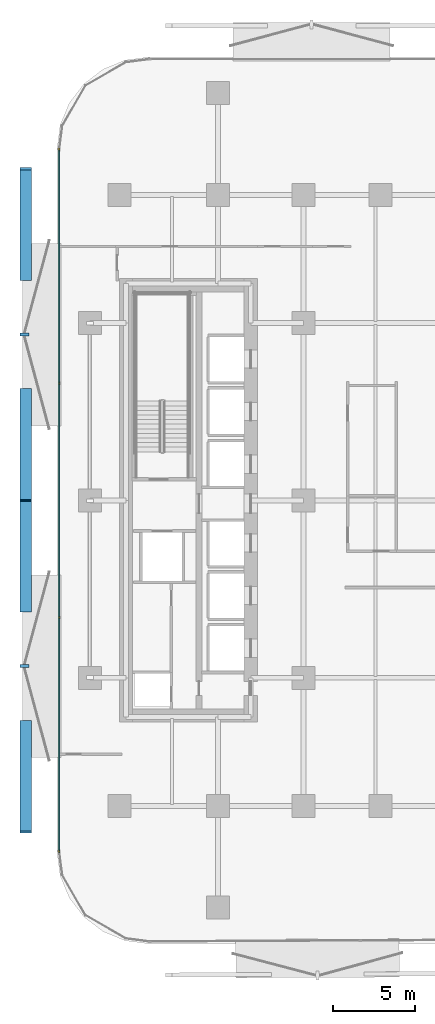
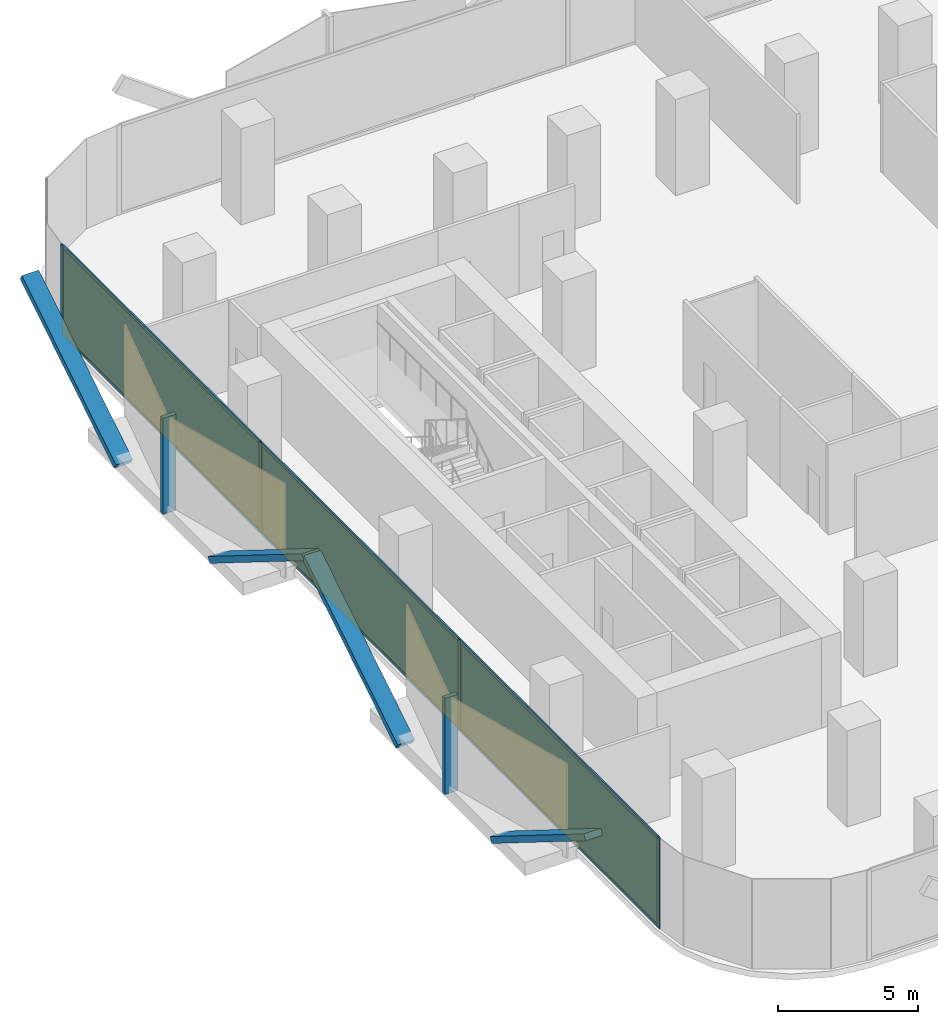
# One storey, part 8 of 15: 16 members, 3 plates, 1 curtain wall.
"""IFC4 building model written with IfcOpenShell, lengths in metres."""

from ifc_helpers import new_model, si_unit, direction, frame, frame_2d, origin, origin_2d, place, context, subcontext, project, spatial, rectangle, extrude, material, layer, layer_set, material_profile, profile_set, type_object, element, aggregate, save


model = new_model("IFC4")

# Units and contexts
model_context = context("Model", 3, precision=1e-05, world=origin(), true_north=direction((0.0, 1.0)))
body_context = subcontext(model_context, "Body", "Model", "MODEL_VIEW")
ifc_project = project(units=[si_unit("LENGTHUNIT", "METRE"), si_unit("AREAUNIT", "SQUARE_METRE"), si_unit("VOLUMEUNIT", "CUBIC_METRE"), si_unit("PLANEANGLEUNIT", "RADIAN"), si_unit("MASSUNIT", "GRAM", prefix="KILO")], contexts=[model_context])

# Member
ifc_material_1 = material(Name="Anodised Bronze Aluminium 6063-T6", Category="aluminium")
ifc_material_profile_1 = material_profile(ifc_material_1, rectangle(XDim=0.260009765625, YDim=0.699951171875, at=origin_2d()))
ifc_profile_set_1 = profile_set([ifc_material_profile_1], Name="Anodised Bronze Aluminium 6063-T6")
member_type_1 = type_object("IfcMemberType", Name="Bronze Diamond Solar-Screen Lattice Rib BDL-700", PredefinedType="MULLION", material=ifc_profile_set_1)
site_placement = place(None, origin())
building_placement = place(site_placement, origin())
storey_placement = place(building_placement, frame((0.0, 0.0, 34.39990234375)))
member_1_placement = place(storey_placement, frame((-26.10009765625, -6.730224609375, -0.1298828125), z_axis=(0.0, 0.848362902952, 0.529415134744), x_axis=(0.0, -0.529415134744, 0.848362902952)))
member_1 = element("IfcMember", 1, at=member_1_placement, type_object=member_type_1, Name="L08 Bronze Diamond Solar Screen Lattice Rib 19A", PredefinedType="MULLION", context=body_context, shape_type="SweptSolid", body=[
    extrude(rectangle(XDim=0.260009765625, YDim=0.699951171875, at=origin_2d()), origin(), (0.0, 0.0, 1.0), 7.93310546875),
])

member_2_placement = place(storey_placement, frame((-26.10009765625, -13.46044921875, -0.1298828125), z_axis=(0.0, -0.848371528126, 0.529401313057), x_axis=(0.0, 0.529401313057, 0.848371528126)))
member_2 = element("IfcMember", 2, at=member_2_placement, type_object=member_type_1, Name="L08 Bronze Diamond Solar Screen Lattice Rib 19B", PredefinedType="MULLION", context=body_context, shape_type="SweptSolid", body=[
    extrude(rectangle(XDim=0.260009765625, YDim=0.699951171875, at=origin_2d()), origin(), (0.0, 0.0, 1.0), 7.933349609375),
])

member_3_placement = place(storey_placement, frame((-26.10009765625, 13.46044921875, -0.1298828125), z_axis=(0.0, 0.848371528126, 0.529401313057), x_axis=(0.0, -0.529401313057, 0.848371528126)))
member_3 = element("IfcMember", 3, at=member_3_placement, type_object=member_type_1, Name="L08 Bronze Diamond Solar Screen Lattice Rib 20A", PredefinedType="MULLION", context=body_context, shape_type="SweptSolid", body=[
    extrude(rectangle(XDim=0.260009765625, YDim=0.699951171875, at=origin_2d()), origin(), (0.0, 0.0, 1.0), 7.933349609375),
])

member_4_placement = place(storey_placement, frame((-26.10009765625, 6.730224609375, -0.1298828125), z_axis=(0.0, -0.848362902952, 0.529415134744), x_axis=(0.0, 0.529415134744, 0.848362902952)))
member_4 = element("IfcMember", 4, at=member_4_placement, type_object=member_type_1, Name="L08 Bronze Diamond Solar Screen Lattice Rib 20B", PredefinedType="MULLION", context=body_context, shape_type="SweptSolid", body=[
    extrude(rectangle(XDim=0.260009765625, YDim=0.699951171875, at=origin_2d()), origin(), (0.0, 0.0, 1.0), 7.93310546875),
])

ifc_material_2 = material(Name="Anodised Bronze Aluminium 6063-T6", Category="aluminium")
ifc_material_profile_2 = material_profile(ifc_material_2, rectangle(XDim=0.179931640625, YDim=0.5400390625, at=origin_2d()))
ifc_profile_set_2 = profile_set([ifc_material_profile_2], Name="Anodised Bronze Aluminium 6063-T6")
member_type_2 = type_object("IfcMemberType", Name="Bronze Solar-Screen Vertical Fold Fin BSF-540", PredefinedType="MULLION", material=ifc_profile_set_2)
member_5_placement = place(storey_placement, frame((-26.179931640625, -10.095458984375, -0.1298828125), z_axis=(0.0, 0.0, 1.0), x_axis=(0.0, 1.0, 0.0)))
member_5 = element("IfcMember", 5, at=member_5_placement, type_object=member_type_2, Name="L08 Bronze Solar Screen Vertical Fin 19", PredefinedType="MULLION", context=body_context, shape_type="SweptSolid", body=[
    extrude(rectangle(XDim=0.179931640625, YDim=0.5400390625, at=origin_2d()), origin(), (0.0, 0.0, 1.0), 4.199951171875),
])

member_6_placement = place(storey_placement, frame((-26.179931640625, 10.095458984375, -0.1298828125), z_axis=(0.0, 0.0, 1.0), x_axis=(0.0, 1.0, 0.0)))
member_6 = element("IfcMember", 6, at=member_6_placement, type_object=member_type_2, Name="L08 Bronze Solar Screen Vertical Fin 20", PredefinedType="MULLION", context=body_context, shape_type="SweptSolid", body=[
    extrude(rectangle(XDim=0.179931640625, YDim=0.5400390625, at=origin_2d()), origin(), (0.0, 0.0, 1.0), 4.199951171875),
])

ifc_material_3 = material(Name="Anodised Bronze Aluminium 6063-T6", Category="aluminium")
ifc_material_profile_3 = material_profile(ifc_material_3, rectangle(XDim=0.06494140625, YDim=0.179931640625, at=origin_2d()))
ifc_profile_set_3 = profile_set([ifc_material_profile_3], Name="Anodised Bronze Aluminium 6063-T6")
member_type_3 = type_object("IfcMemberType", Name="CW-Z1 Mullion 65x180", PredefinedType="MULLION", material=ifc_profile_set_3)
member_7_placement = place(storey_placement, frame((-24.06005859375, -21.3583984375, 0.0), z_axis=(0.0, 0.0, 1.0), x_axis=(-1.0, 0.0, 0.0)))
member_7 = element("IfcMember", 7, at=member_7_placement, type_object=member_type_3, Name="CW-Z1 mullion 1", PredefinedType="MULLION", context=body_context, shape_type="SweptSolid", body=[
    extrude(rectangle(XDim=0.06494140625, YDim=0.179931640625, at=origin_2d()), origin(), (0.0, 0.0, 1.0), 3.940185546875),
])

member_8_placement = place(storey_placement, frame((-24.06005859375, -7.13037109375, 0.0), z_axis=(0.0, 0.0, 1.0), x_axis=(-1.0, 0.0, 0.0)))
member_8 = element("IfcMember", 8, at=member_8_placement, type_object=member_type_3, Name="CW-Z1 mullion 2", PredefinedType="MULLION", context=body_context, shape_type="SweptSolid", body=[
    extrude(rectangle(XDim=0.06494140625, YDim=0.179931640625, at=origin_2d()), origin(), (0.0, 0.0, 1.0), 3.940185546875),
])

member_9_placement = place(storey_placement, frame((-24.06005859375, 7.13037109375, 0.0), z_axis=(0.0, 0.0, 1.0), x_axis=(-1.0, 0.0, 0.0)))
member_9 = element("IfcMember", 9, at=member_9_placement, type_object=member_type_3, Name="CW-Z1 mullion 3", PredefinedType="MULLION", context=body_context, shape_type="SweptSolid", body=[
    extrude(rectangle(XDim=0.06494140625, YDim=0.179931640625, at=origin_2d()), origin(), (0.0, 0.0, 1.0), 3.940185546875),
])

member_10_placement = place(storey_placement, frame((-24.06005859375, 21.3583984375, 0.0), z_axis=(0.0, 0.0, 1.0), x_axis=(-1.0, 0.0, 0.0)))
member_10 = element("IfcMember", 10, at=member_10_placement, type_object=member_type_3, Name="CW-Z1 mullion 4", PredefinedType="MULLION", context=body_context, shape_type="SweptSolid", body=[
    extrude(rectangle(XDim=0.06494140625, YDim=0.179931640625, at=origin_2d()), origin(), (0.0, 0.0, 1.0), 3.940185546875),
])

ifc_material_4 = material(Name="Anodised Bronze Aluminium 6063-T6", Category="aluminium")
ifc_material_profile_4 = material_profile(ifc_material_4, rectangle(XDim=0.06494140625, YDim=0.139892578125, at=origin_2d()))
ifc_profile_set_4 = profile_set([ifc_material_profile_4], Name="Anodised Bronze Aluminium 6063-T6")
member_type_4 = type_object("IfcMemberType", Name="CW-Z1 Transom 65x140", PredefinedType="USERDEFINED", material=ifc_profile_set_4)
member_11_placement = place(storey_placement, frame((-24.06005859375, -21.32568359375, 0.03271484375), z_axis=(0.0, 1.0, 0.0), x_axis=(-1.0, 0.0, 0.0)))
member_11 = element("IfcMember", 11, at=member_11_placement, type_object=member_type_4, Name="CW-Z1 transom 1.1", ObjectType="TRANSOM", PredefinedType="USERDEFINED", context=body_context, shape_type="SweptSolid", body=[
    extrude(rectangle(XDim=0.06494140625, YDim=0.139892578125, at=origin_2d()), origin(), (0.0, 0.0, 1.0), 14.162841796875),
])

member_12_placement = place(storey_placement, frame((-24.06005859375, -21.32568359375, 3.90771484375), z_axis=(0.0, 1.0, 0.0), x_axis=(-1.0, 0.0, 0.0)))
member_12 = element("IfcMember", 12, at=member_12_placement, type_object=member_type_4, Name="CW-Z1 transom 1.2", ObjectType="TRANSOM", PredefinedType="USERDEFINED", context=body_context, shape_type="SweptSolid", body=[
    extrude(rectangle(XDim=0.06494140625, YDim=0.139892578125, at=origin_2d()), origin(), (0.0, 0.0, 1.0), 14.162841796875),
])

member_13_placement = place(storey_placement, frame((-24.06005859375, -7.09765625, 0.03271484375), z_axis=(0.0, 1.0, 0.0), x_axis=(-1.0, 0.0, 0.0)))
member_13 = element("IfcMember", 13, at=member_13_placement, type_object=member_type_4, Name="CW-Z1 transom 2.1", ObjectType="TRANSOM", PredefinedType="USERDEFINED", context=body_context, shape_type="SweptSolid", body=[
    extrude(rectangle(XDim=0.06494140625, YDim=0.139892578125, at=origin_2d()), origin(), (0.0, 0.0, 1.0), 14.1953125),
])

member_14_placement = place(storey_placement, frame((-24.06005859375, -7.09765625, 3.90771484375), z_axis=(0.0, 1.0, 0.0), x_axis=(-1.0, 0.0, 0.0)))
member_14 = element("IfcMember", 14, at=member_14_placement, type_object=member_type_4, Name="CW-Z1 transom 2.2", ObjectType="TRANSOM", PredefinedType="USERDEFINED", context=body_context, shape_type="SweptSolid", body=[
    extrude(rectangle(XDim=0.06494140625, YDim=0.139892578125, at=origin_2d()), origin(), (0.0, 0.0, 1.0), 14.1953125),
])

member_15_placement = place(storey_placement, frame((-24.06005859375, 7.162841796875, 0.03271484375), z_axis=(0.0, 1.0, 0.0), x_axis=(-1.0, 0.0, 0.0)))
member_15 = element("IfcMember", 15, at=member_15_placement, type_object=member_type_4, Name="CW-Z1 transom 3.1", ObjectType="TRANSOM", PredefinedType="USERDEFINED", context=body_context, shape_type="SweptSolid", body=[
    extrude(rectangle(XDim=0.06494140625, YDim=0.139892578125, at=origin_2d()), origin(), (0.0, 0.0, 1.0), 14.162841796875),
])

member_16_placement = place(storey_placement, frame((-24.06005859375, 7.162841796875, 3.90771484375), z_axis=(0.0, 1.0, 0.0), x_axis=(-1.0, 0.0, 0.0)))
member_16 = element("IfcMember", 16, at=member_16_placement, type_object=member_type_4, Name="CW-Z1 transom 3.2", ObjectType="TRANSOM", PredefinedType="USERDEFINED", context=body_context, shape_type="SweptSolid", body=[
    extrude(rectangle(XDim=0.06494140625, YDim=0.139892578125, at=origin_2d()), origin(), (0.0, 0.0, 1.0), 14.162841796875),
])

# Plate
ifc_material_5 = material(Name="Low-E Solar Control Laminated Glass", Category="glass")
ifc_layer_1 = layer(ifc_material_5, 0.028076171875, Name="Low-E Solar Control Laminated Glass")
ifc_layer_set_1 = layer_set([ifc_layer_1], Name="Low-E Solar Control Laminated Glass")
plate_type = type_object("IfcPlateType", Name="CW-Z1 Low-E Double Glazed Panel 28mm", PredefinedType="CURTAIN_PANEL", material=ifc_layer_set_1)
plate_1_placement = place(storey_placement, frame((-24.06005859375, -14.244384765625, 0.065185546875), z_axis=(0.0, 0.0, 1.0), x_axis=(0.0, 1.0, 0.0)))
plate_1 = element("IfcPlate", 17, at=plate_1_placement, type_object=plate_type, Name="CW-Z1 panel 1.1", PredefinedType="CURTAIN_PANEL", context=body_context, shape_type="SweptSolid", body=[
    extrude(rectangle(XDim=14.1630859375, YDim=0.028076171875, at=origin_2d()), origin(), (0.0, 0.0, 1.0), 3.81005859375),
])

plate_2_placement = place(storey_placement, frame((-24.06005859375, 0.0, 0.065185546875), z_axis=(0.0, 0.0, 1.0), x_axis=(0.0, 1.0, 0.0)))
plate_2 = element("IfcPlate", 18, at=plate_2_placement, type_object=plate_type, Name="CW-Z1 panel 2.1", PredefinedType="CURTAIN_PANEL", context=body_context, shape_type="SweptSolid", body=[
    extrude(rectangle(XDim=14.195556640625, YDim=0.028076171875, at=origin_2d()), origin(), (0.0, 0.0, 1.0), 3.81005859375),
])

plate_3_placement = place(storey_placement, frame((-24.06005859375, 14.244384765625, 0.065185546875), z_axis=(0.0, 0.0, 1.0), x_axis=(0.0, 1.0, 0.0)))
plate_3 = element("IfcPlate", 19, at=plate_3_placement, type_object=plate_type, Name="CW-Z1 panel 3.1", PredefinedType="CURTAIN_PANEL", context=body_context, shape_type="SweptSolid", body=[
    extrude(rectangle(XDim=14.1630859375, YDim=0.028076171875, at=origin_2d()), origin(), (0.0, 0.0, 1.0), 3.81005859375),
])

# Site, building, storey
site = spatial("IfcSite", under=ifc_project, at=site_placement, CompositionType="ELEMENT")
building = spatial("IfcBuilding", under=site, at=building_placement, Name="Khairoan Windgate Tower", CompositionType="ELEMENT")
storey = spatial("IfcBuildingStorey", under=building, at=storey_placement, Name="L08", CompositionType="ELEMENT", Elevation=34.39990234375)

# Curtain wall
ifc_material_6 = material(Name="Anodised Bronze Aluminium 6063-T6", Category="aluminium")
ifc_layer_2 = layer(ifc_material_6, 0.179931640625, Name="Anodised Bronze Aluminium 6063-T6")
ifc_layer_set_2 = layer_set([ifc_layer_2], Name="Anodised Bronze Aluminium 6063-T6")
curtain_wall_type = type_object("IfcCurtainWallType", Name="Low-Rise Office Unitised Curtain Wall CW-Z1", PredefinedType="NOTDEFINED", material=ifc_layer_set_2)
curtain_wall_placement = place(storey_placement, frame((-24.06005859375, -21.390869140625, 0.0), z_axis=(0.0, 0.0, 1.0), x_axis=(0.0, 1.0, 0.0)))
curtain_wall = element("IfcCurtainWall", 20, at=curtain_wall_placement, inside=storey, type_object=curtain_wall_type, Name="L08 Unitised Curtain Wall 6", PredefinedType="NOTDEFINED", context=body_context, shape_type="SweptSolid", body=[
    extrude(rectangle(XDim=42.78173828125, YDim=0.010009765625, at=frame_2d((21.390869140625, 0.0))), origin(), (0.0, 0.0, 1.0), 3.940185546875),
])

aggregate(curtain_wall, [member_7, member_8, member_9, member_10, member_11, member_12, plate_1, member_13, member_14, plate_2, member_15, member_16, plate_3, member_1, member_2, member_5, member_3, member_4, member_6])

save(model, "model.ifc")
